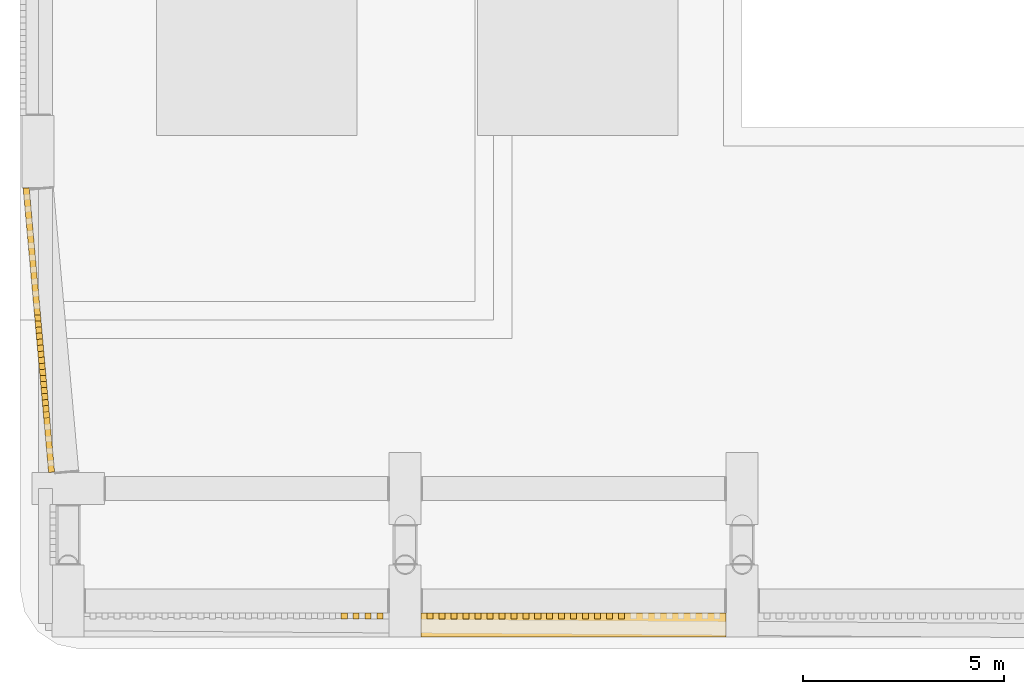
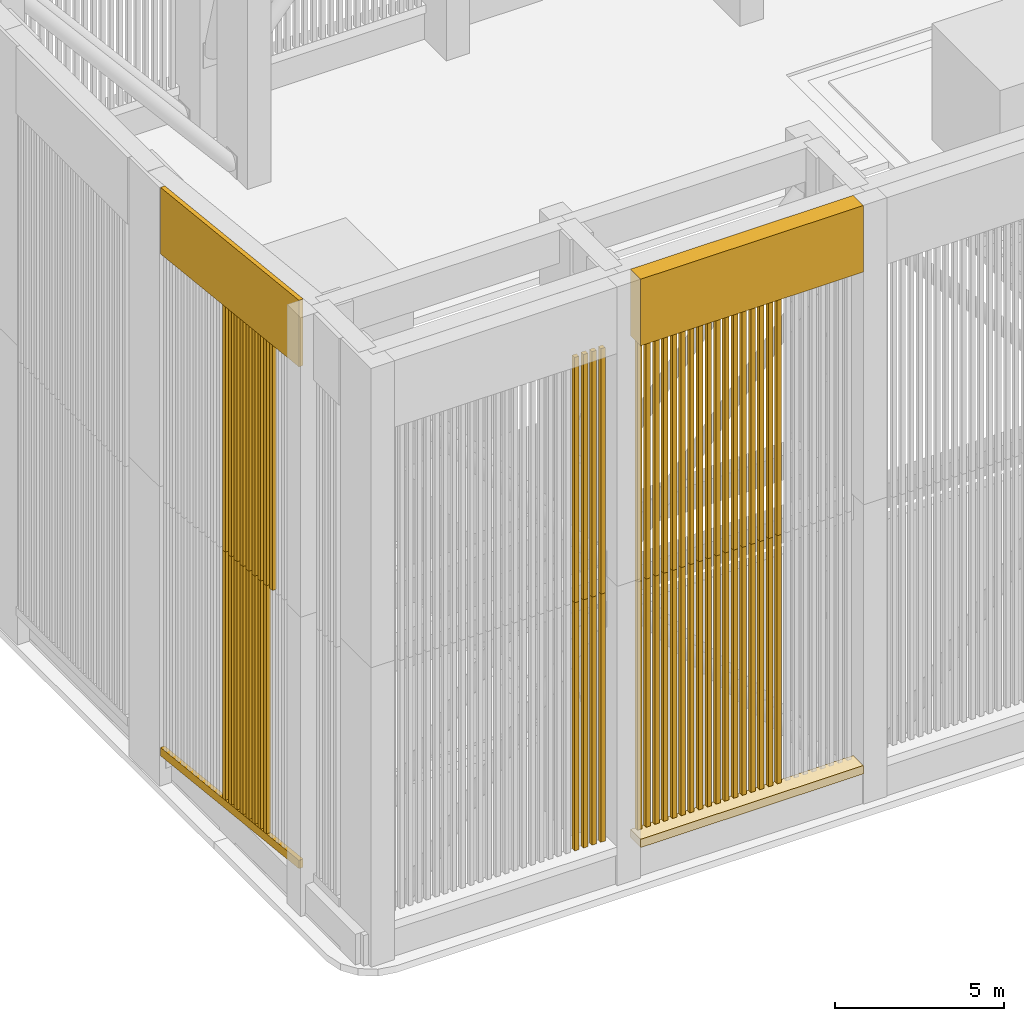
# One storey, part 9 of 27: 59 shading devices, 4 coverings.
"""IFC4 building model written with IfcOpenShell, lengths in metres."""

from ifc_helpers import new_model, si_unit, direction, frame, origin, origin_2d, place, context, subcontext, project, spatial, rectangle, extrude, material, layer, layer_set, type_object, element, save


model = new_model("IFC4")

# Units and contexts
model_context = context("Model", 3, precision=1e-05, world=origin(), true_north=direction((0.0, 1.0)))
body_context = subcontext(model_context, "Body", "Model", "MODEL_VIEW")
ifc_project = project(units=[si_unit("LENGTHUNIT", "METRE"), si_unit("AREAUNIT", "SQUARE_METRE"), si_unit("VOLUMEUNIT", "CUBIC_METRE"), si_unit("PLANEANGLEUNIT", "RADIAN"), si_unit("MASSUNIT", "GRAM", prefix="KILO")], contexts=[model_context])

# Site, building, storey
site_placement = place(None, origin())
site = spatial("IfcSite", under=ifc_project, at=site_placement, CompositionType="ELEMENT")
building_placement = place(site_placement, origin())
building = spatial("IfcBuilding", under=site, at=building_placement, Name="Claustro Exchange Tower", CompositionType="ELEMENT")
storey_placement = place(building_placement, frame((0.0, 0.0, 287.10009765625)))
storey = spatial("IfcBuildingStorey", under=building, at=storey_placement, Name="ROOF", CompositionType="ELEMENT", Elevation=287.10009765625)

# Coverings
ifc_material_1 = material(Name="Concrete HA-40 (C40/50), precast, white cement, acid-etched", Category="concrete")
ifc_layer_1 = layer(ifc_material_1, 0.14990234375)
ifc_layer_set_1 = layer_set([ifc_layer_1], Name="Concrete HA-40 (C40/50), precast, white cement, acid-etched")
covering_type_1 = type_object("IfcCoveringType", Name="CC1 150 precast concrete crown moulding", PredefinedType="MOLDING", material=ifc_layer_set_1)
covering_1_placement = place(storey_placement, frame((-0.729736328125, 12.35009765625, 1.10009765625), z_axis=(0.0, 0.0, 1.0), x_axis=(-0.088932542032, 0.996037651381, 0.0)))
element("IfcCovering", 1, at=covering_1_placement, inside=storey, type_object=covering_type_1, Name="CROWN SILL CC1 1/B - 1+-750/C", PredefinedType="MOLDING", context=body_context, shape_type="SweptSolid", body=[
    extrude(rectangle(XDim=7.114013671875, YDim=0.14990234375, at=origin_2d()), origin(), (0.0, 0.0, 1.0), 0.300048828125),
])
covering_2_placement = place(storey_placement, frame((-0.729736328125, 12.35009765625, 19.199951171875), z_axis=(0.0, 0.0, 1.0), x_axis=(-0.088932542032, 0.996037651381, 0.0)))
element("IfcCovering", 2, at=covering_2_placement, inside=storey, type_object=covering_type_1, Name="CROWN CORNICE CC1 1/B - 1+-750/C", PredefinedType="MOLDING", context=body_context, shape_type="SweptSolid", body=[
    extrude(rectangle(XDim=7.114013671875, YDim=0.14990234375, at=origin_2d()), origin(), (0.0, 0.0, 1.0), 2.39990234375),
])
ifc_material_2 = material(Name="Concrete HA-40 (C40/50), precast, white cement, acid-etched", Category="concrete")
ifc_layer_2 = layer(ifc_material_2, 0.60009765625)
ifc_layer_set_2 = layer_set([ifc_layer_2], Name="Concrete HA-40 (C40/50), precast, white cement, acid-etched")
covering_type_2 = type_object("IfcCoveringType", Name="CC2 600 precast concrete crown moulding", PredefinedType="MOLDING", material=ifc_layer_set_2)
covering_3_placement = place(storey_placement, frame((12.60009765625, 4.99951171875, 1.10009765625), z_axis=(0.0, 0.0, 1.0), x_axis=(1.0, 0.0, 0.0)))
element("IfcCovering", 3, at=covering_3_placement, inside=storey, type_object=covering_type_2, Name="CROWN SILL CC2 2/A+5600 - 3/A+5600", PredefinedType="MOLDING", context=body_context, shape_type="SweptSolid", body=[
    extrude(rectangle(XDim=7.59912109375, YDim=0.60009765625, at=origin_2d()), origin(), (0.0, 0.0, 1.0), 0.300048828125),
])
covering_4_placement = place(storey_placement, frame((12.60009765625, 4.99951171875, 19.199951171875), z_axis=(0.0, 0.0, 1.0), x_axis=(1.0, 0.0, 0.0)))
element("IfcCovering", 4, at=covering_4_placement, inside=storey, type_object=covering_type_2, Name="CROWN CORNICE CC2 2/A+5600 - 3/A+5600", PredefinedType="MOLDING", context=body_context, shape_type="SweptSolid", body=[
    extrude(rectangle(XDim=7.59912109375, YDim=0.60009765625, at=origin_2d()), origin(), (0.0, 0.0, 1.0), 2.39990234375),
])

# Shading devices
ifc_material_3 = material(Name="Concrete HA-40 (C40/50), precast, white cement, acid-etched", Category="concrete")
shading_device_type = type_object("IfcShadingDeviceType", Name="LV1 150 x 150 precast concrete crown louvre", PredefinedType="USERDEFINED", material=ifc_material_3)
shading_device_1_placement = place(storey_placement, frame((6.88232421875, 5.224609375, 1.39990234375), z_axis=(0.0, 0.0, 1.0), x_axis=(1.0, 0.0, 0.0)))
element("IfcShadingDevice", 5, at=shading_device_1_placement, inside=storey, type_object=shading_device_type, Name="CROWN LOUVRE LV1 1/A+5600 - 2/A+5600 22 lower", ObjectType="CROWN LOUVRE", PredefinedType="USERDEFINED", context=body_context, shape_type="SweptSolid", body=[
    extrude(rectangle(XDim=0.14990234375, YDim=0.14990234375, at=origin_2d()), origin(), (0.0, 0.0, 1.0), 8.949951171875),
])
shading_device_2_placement = place(storey_placement, frame((6.88232421875, 5.224609375, 10.349853515625), z_axis=(0.0, 0.0, 1.0), x_axis=(1.0, 0.0, 0.0)))
element("IfcShadingDevice", 6, at=shading_device_2_placement, inside=storey, type_object=shading_device_type, Name="CROWN LOUVRE LV1 1/A+5600 - 2/A+5600 22 upper", ObjectType="CROWN LOUVRE", PredefinedType="USERDEFINED", context=body_context, shape_type="SweptSolid", body=[
    extrude(rectangle(XDim=0.14990234375, YDim=0.14990234375, at=origin_2d()), origin(), (0.0, 0.0, 1.0), 8.85009765625),
])
shading_device_3_placement = place(storey_placement, frame((7.180419921875, 5.224609375, 1.39990234375), z_axis=(0.0, 0.0, 1.0), x_axis=(1.0, 0.0, 0.0)))
element("IfcShadingDevice", 7, at=shading_device_3_placement, inside=storey, type_object=shading_device_type, Name="CROWN LOUVRE LV1 1/A+5600 - 2/A+5600 23 lower", ObjectType="CROWN LOUVRE", PredefinedType="USERDEFINED", context=body_context, shape_type="SweptSolid", body=[
    extrude(rectangle(XDim=0.14990234375, YDim=0.14990234375, at=origin_2d()), origin(), (0.0, 0.0, 1.0), 8.949951171875),
])
shading_device_4_placement = place(storey_placement, frame((7.180419921875, 5.224609375, 10.349853515625), z_axis=(0.0, 0.0, 1.0), x_axis=(1.0, 0.0, 0.0)))
element("IfcShadingDevice", 8, at=shading_device_4_placement, inside=storey, type_object=shading_device_type, Name="CROWN LOUVRE LV1 1/A+5600 - 2/A+5600 23 upper", ObjectType="CROWN LOUVRE", PredefinedType="USERDEFINED", context=body_context, shape_type="SweptSolid", body=[
    extrude(rectangle(XDim=0.14990234375, YDim=0.14990234375, at=origin_2d()), origin(), (0.0, 0.0, 1.0), 8.85009765625),
])
shading_device_5_placement = place(storey_placement, frame((7.478515625, 5.224609375, 1.39990234375), z_axis=(0.0, 0.0, 1.0), x_axis=(1.0, 0.0, 0.0)))
element("IfcShadingDevice", 9, at=shading_device_5_placement, inside=storey, type_object=shading_device_type, Name="CROWN LOUVRE LV1 1/A+5600 - 2/A+5600 24 lower", ObjectType="CROWN LOUVRE", PredefinedType="USERDEFINED", context=body_context, shape_type="SweptSolid", body=[
    extrude(rectangle(XDim=0.14990234375, YDim=0.14990234375, at=origin_2d()), origin(), (0.0, 0.0, 1.0), 8.949951171875),
])
shading_device_6_placement = place(storey_placement, frame((7.478515625, 5.224609375, 10.349853515625), z_axis=(0.0, 0.0, 1.0), x_axis=(1.0, 0.0, 0.0)))
element("IfcShadingDevice", 10, at=shading_device_6_placement, inside=storey, type_object=shading_device_type, Name="CROWN LOUVRE LV1 1/A+5600 - 2/A+5600 24 upper", ObjectType="CROWN LOUVRE", PredefinedType="USERDEFINED", context=body_context, shape_type="SweptSolid", body=[
    extrude(rectangle(XDim=0.14990234375, YDim=0.14990234375, at=origin_2d()), origin(), (0.0, 0.0, 1.0), 8.85009765625),
])
shading_device_7_placement = place(storey_placement, frame((7.776611328125, 5.224609375, 1.39990234375), z_axis=(0.0, 0.0, 1.0), x_axis=(1.0, 0.0, 0.0)))
element("IfcShadingDevice", 11, at=shading_device_7_placement, inside=storey, type_object=shading_device_type, Name="CROWN LOUVRE LV1 1/A+5600 - 2/A+5600 25 lower", ObjectType="CROWN LOUVRE", PredefinedType="USERDEFINED", context=body_context, shape_type="SweptSolid", body=[
    extrude(rectangle(XDim=0.14990234375, YDim=0.14990234375, at=origin_2d()), origin(), (0.0, 0.0, 1.0), 8.949951171875),
])
shading_device_8_placement = place(storey_placement, frame((7.776611328125, 5.224609375, 10.349853515625), z_axis=(0.0, 0.0, 1.0), x_axis=(1.0, 0.0, 0.0)))
element("IfcShadingDevice", 12, at=shading_device_8_placement, inside=storey, type_object=shading_device_type, Name="CROWN LOUVRE LV1 1/A+5600 - 2/A+5600 25 upper", ObjectType="CROWN LOUVRE", PredefinedType="USERDEFINED", context=body_context, shape_type="SweptSolid", body=[
    extrude(rectangle(XDim=0.14990234375, YDim=0.14990234375, at=origin_2d()), origin(), (0.0, 0.0, 1.0), 8.85009765625),
])
shading_device_9_placement = place(storey_placement, frame((9.0234375, 5.224609375, 1.39990234375), z_axis=(0.0, 0.0, 1.0), x_axis=(1.0, 0.0, 0.0)))
element("IfcShadingDevice", 13, at=shading_device_9_placement, inside=storey, type_object=shading_device_type, Name="CROWN LOUVRE LV1 2/A+5600 - 3/A+5600 01 lower", ObjectType="CROWN LOUVRE", PredefinedType="USERDEFINED", context=body_context, shape_type="SweptSolid", body=[
    extrude(rectangle(XDim=0.14990234375, YDim=0.14990234375, at=origin_2d()), origin(), (0.0, 0.0, 1.0), 8.949951171875),
])
shading_device_10_placement = place(storey_placement, frame((9.0234375, 5.224609375, 10.349853515625), z_axis=(0.0, 0.0, 1.0), x_axis=(1.0, 0.0, 0.0)))
element("IfcShadingDevice", 14, at=shading_device_10_placement, inside=storey, type_object=shading_device_type, Name="CROWN LOUVRE LV1 2/A+5600 - 3/A+5600 01 upper", ObjectType="CROWN LOUVRE", PredefinedType="USERDEFINED", context=body_context, shape_type="SweptSolid", body=[
    extrude(rectangle(XDim=0.14990234375, YDim=0.14990234375, at=origin_2d()), origin(), (0.0, 0.0, 1.0), 8.85009765625),
])
shading_device_11_placement = place(storey_placement, frame((9.321533203125, 5.224609375, 1.39990234375), z_axis=(0.0, 0.0, 1.0), x_axis=(1.0, 0.0, 0.0)))
element("IfcShadingDevice", 15, at=shading_device_11_placement, inside=storey, type_object=shading_device_type, Name="CROWN LOUVRE LV1 2/A+5600 - 3/A+5600 02 lower", ObjectType="CROWN LOUVRE", PredefinedType="USERDEFINED", context=body_context, shape_type="SweptSolid", body=[
    extrude(rectangle(XDim=0.14990234375, YDim=0.14990234375, at=origin_2d()), origin(), (0.0, 0.0, 1.0), 8.949951171875),
])
shading_device_12_placement = place(storey_placement, frame((9.321533203125, 5.224609375, 10.349853515625), z_axis=(0.0, 0.0, 1.0), x_axis=(1.0, 0.0, 0.0)))
element("IfcShadingDevice", 16, at=shading_device_12_placement, inside=storey, type_object=shading_device_type, Name="CROWN LOUVRE LV1 2/A+5600 - 3/A+5600 02 upper", ObjectType="CROWN LOUVRE", PredefinedType="USERDEFINED", context=body_context, shape_type="SweptSolid", body=[
    extrude(rectangle(XDim=0.14990234375, YDim=0.14990234375, at=origin_2d()), origin(), (0.0, 0.0, 1.0), 8.85009765625),
])
shading_device_13_placement = place(storey_placement, frame((9.61962890625, 5.224609375, 1.39990234375), z_axis=(0.0, 0.0, 1.0), x_axis=(1.0, 0.0, 0.0)))
element("IfcShadingDevice", 17, at=shading_device_13_placement, inside=storey, type_object=shading_device_type, Name="CROWN LOUVRE LV1 2/A+5600 - 3/A+5600 03 lower", ObjectType="CROWN LOUVRE", PredefinedType="USERDEFINED", context=body_context, shape_type="SweptSolid", body=[
    extrude(rectangle(XDim=0.14990234375, YDim=0.14990234375, at=origin_2d()), origin(), (0.0, 0.0, 1.0), 8.949951171875),
])
shading_device_14_placement = place(storey_placement, frame((9.61962890625, 5.224609375, 10.349853515625), z_axis=(0.0, 0.0, 1.0), x_axis=(1.0, 0.0, 0.0)))
element("IfcShadingDevice", 18, at=shading_device_14_placement, inside=storey, type_object=shading_device_type, Name="CROWN LOUVRE LV1 2/A+5600 - 3/A+5600 03 upper", ObjectType="CROWN LOUVRE", PredefinedType="USERDEFINED", context=body_context, shape_type="SweptSolid", body=[
    extrude(rectangle(XDim=0.14990234375, YDim=0.14990234375, at=origin_2d()), origin(), (0.0, 0.0, 1.0), 8.85009765625),
])
shading_device_15_placement = place(storey_placement, frame((9.917724609375, 5.224609375, 1.39990234375), z_axis=(0.0, 0.0, 1.0), x_axis=(1.0, 0.0, 0.0)))
element("IfcShadingDevice", 19, at=shading_device_15_placement, inside=storey, type_object=shading_device_type, Name="CROWN LOUVRE LV1 2/A+5600 - 3/A+5600 04 lower", ObjectType="CROWN LOUVRE", PredefinedType="USERDEFINED", context=body_context, shape_type="SweptSolid", body=[
    extrude(rectangle(XDim=0.14990234375, YDim=0.14990234375, at=origin_2d()), origin(), (0.0, 0.0, 1.0), 8.949951171875),
])
shading_device_16_placement = place(storey_placement, frame((9.917724609375, 5.224609375, 10.349853515625), z_axis=(0.0, 0.0, 1.0), x_axis=(1.0, 0.0, 0.0)))
element("IfcShadingDevice", 20, at=shading_device_16_placement, inside=storey, type_object=shading_device_type, Name="CROWN LOUVRE LV1 2/A+5600 - 3/A+5600 04 upper", ObjectType="CROWN LOUVRE", PredefinedType="USERDEFINED", context=body_context, shape_type="SweptSolid", body=[
    extrude(rectangle(XDim=0.14990234375, YDim=0.14990234375, at=origin_2d()), origin(), (0.0, 0.0, 1.0), 8.85009765625),
])
shading_device_17_placement = place(storey_placement, frame((10.2158203125, 5.224609375, 1.39990234375), z_axis=(0.0, 0.0, 1.0), x_axis=(1.0, 0.0, 0.0)))
element("IfcShadingDevice", 21, at=shading_device_17_placement, inside=storey, type_object=shading_device_type, Name="CROWN LOUVRE LV1 2/A+5600 - 3/A+5600 05 lower", ObjectType="CROWN LOUVRE", PredefinedType="USERDEFINED", context=body_context, shape_type="SweptSolid", body=[
    extrude(rectangle(XDim=0.14990234375, YDim=0.14990234375, at=origin_2d()), origin(), (0.0, 0.0, 1.0), 8.949951171875),
])
shading_device_18_placement = place(storey_placement, frame((10.2158203125, 5.224609375, 10.349853515625), z_axis=(0.0, 0.0, 1.0), x_axis=(1.0, 0.0, 0.0)))
element("IfcShadingDevice", 22, at=shading_device_18_placement, inside=storey, type_object=shading_device_type, Name="CROWN LOUVRE LV1 2/A+5600 - 3/A+5600 05 upper", ObjectType="CROWN LOUVRE", PredefinedType="USERDEFINED", context=body_context, shape_type="SweptSolid", body=[
    extrude(rectangle(XDim=0.14990234375, YDim=0.14990234375, at=origin_2d()), origin(), (0.0, 0.0, 1.0), 8.85009765625),
])
shading_device_19_placement = place(storey_placement, frame((10.513671875, 5.224609375, 1.39990234375), z_axis=(0.0, 0.0, 1.0), x_axis=(1.0, 0.0, 0.0)))
element("IfcShadingDevice", 23, at=shading_device_19_placement, inside=storey, type_object=shading_device_type, Name="CROWN LOUVRE LV1 2/A+5600 - 3/A+5600 06 lower", ObjectType="CROWN LOUVRE", PredefinedType="USERDEFINED", context=body_context, shape_type="SweptSolid", body=[
    extrude(rectangle(XDim=0.14990234375, YDim=0.14990234375, at=origin_2d()), origin(), (0.0, 0.0, 1.0), 8.949951171875),
])
shading_device_20_placement = place(storey_placement, frame((10.513671875, 5.224609375, 10.349853515625), z_axis=(0.0, 0.0, 1.0), x_axis=(1.0, 0.0, 0.0)))
element("IfcShadingDevice", 24, at=shading_device_20_placement, inside=storey, type_object=shading_device_type, Name="CROWN LOUVRE LV1 2/A+5600 - 3/A+5600 06 upper", ObjectType="CROWN LOUVRE", PredefinedType="USERDEFINED", context=body_context, shape_type="SweptSolid", body=[
    extrude(rectangle(XDim=0.14990234375, YDim=0.14990234375, at=origin_2d()), origin(), (0.0, 0.0, 1.0), 8.85009765625),
])
shading_device_21_placement = place(storey_placement, frame((10.811767578125, 5.224609375, 1.39990234375), z_axis=(0.0, 0.0, 1.0), x_axis=(1.0, 0.0, 0.0)))
element("IfcShadingDevice", 25, at=shading_device_21_placement, inside=storey, type_object=shading_device_type, Name="CROWN LOUVRE LV1 2/A+5600 - 3/A+5600 07 lower", ObjectType="CROWN LOUVRE", PredefinedType="USERDEFINED", context=body_context, shape_type="SweptSolid", body=[
    extrude(rectangle(XDim=0.14990234375, YDim=0.14990234375, at=origin_2d()), origin(), (0.0, 0.0, 1.0), 8.949951171875),
])
shading_device_22_placement = place(storey_placement, frame((10.811767578125, 5.224609375, 10.349853515625), z_axis=(0.0, 0.0, 1.0), x_axis=(1.0, 0.0, 0.0)))
element("IfcShadingDevice", 26, at=shading_device_22_placement, inside=storey, type_object=shading_device_type, Name="CROWN LOUVRE LV1 2/A+5600 - 3/A+5600 07 upper", ObjectType="CROWN LOUVRE", PredefinedType="USERDEFINED", context=body_context, shape_type="SweptSolid", body=[
    extrude(rectangle(XDim=0.14990234375, YDim=0.14990234375, at=origin_2d()), origin(), (0.0, 0.0, 1.0), 8.85009765625),
])
shading_device_23_placement = place(storey_placement, frame((11.10986328125, 5.224609375, 1.39990234375), z_axis=(0.0, 0.0, 1.0), x_axis=(1.0, 0.0, 0.0)))
element("IfcShadingDevice", 27, at=shading_device_23_placement, inside=storey, type_object=shading_device_type, Name="CROWN LOUVRE LV1 2/A+5600 - 3/A+5600 08 lower", ObjectType="CROWN LOUVRE", PredefinedType="USERDEFINED", context=body_context, shape_type="SweptSolid", body=[
    extrude(rectangle(XDim=0.14990234375, YDim=0.14990234375, at=origin_2d()), origin(), (0.0, 0.0, 1.0), 8.949951171875),
])
shading_device_24_placement = place(storey_placement, frame((11.10986328125, 5.224609375, 10.349853515625), z_axis=(0.0, 0.0, 1.0), x_axis=(1.0, 0.0, 0.0)))
element("IfcShadingDevice", 28, at=shading_device_24_placement, inside=storey, type_object=shading_device_type, Name="CROWN LOUVRE LV1 2/A+5600 - 3/A+5600 08 upper", ObjectType="CROWN LOUVRE", PredefinedType="USERDEFINED", context=body_context, shape_type="SweptSolid", body=[
    extrude(rectangle(XDim=0.14990234375, YDim=0.14990234375, at=origin_2d()), origin(), (0.0, 0.0, 1.0), 8.85009765625),
])
shading_device_25_placement = place(storey_placement, frame((11.40771484375, 5.224609375, 1.39990234375), z_axis=(0.0, 0.0, 1.0), x_axis=(1.0, 0.0, 0.0)))
element("IfcShadingDevice", 29, at=shading_device_25_placement, inside=storey, type_object=shading_device_type, Name="CROWN LOUVRE LV1 2/A+5600 - 3/A+5600 09 lower", ObjectType="CROWN LOUVRE", PredefinedType="USERDEFINED", context=body_context, shape_type="SweptSolid", body=[
    extrude(rectangle(XDim=0.14990234375, YDim=0.14990234375, at=origin_2d()), origin(), (0.0, 0.0, 1.0), 8.949951171875),
])
shading_device_26_placement = place(storey_placement, frame((11.40771484375, 5.224609375, 10.349853515625), z_axis=(0.0, 0.0, 1.0), x_axis=(1.0, 0.0, 0.0)))
element("IfcShadingDevice", 30, at=shading_device_26_placement, inside=storey, type_object=shading_device_type, Name="CROWN LOUVRE LV1 2/A+5600 - 3/A+5600 09 upper", ObjectType="CROWN LOUVRE", PredefinedType="USERDEFINED", context=body_context, shape_type="SweptSolid", body=[
    extrude(rectangle(XDim=0.14990234375, YDim=0.14990234375, at=origin_2d()), origin(), (0.0, 0.0, 1.0), 8.85009765625),
])
shading_device_27_placement = place(storey_placement, frame((11.705810546875, 5.224609375, 1.39990234375), z_axis=(0.0, 0.0, 1.0), x_axis=(1.0, 0.0, 0.0)))
element("IfcShadingDevice", 31, at=shading_device_27_placement, inside=storey, type_object=shading_device_type, Name="CROWN LOUVRE LV1 2/A+5600 - 3/A+5600 10 lower", ObjectType="CROWN LOUVRE", PredefinedType="USERDEFINED", context=body_context, shape_type="SweptSolid", body=[
    extrude(rectangle(XDim=0.14990234375, YDim=0.14990234375, at=origin_2d()), origin(), (0.0, 0.0, 1.0), 8.949951171875),
])
shading_device_28_placement = place(storey_placement, frame((11.705810546875, 5.224609375, 10.349853515625), z_axis=(0.0, 0.0, 1.0), x_axis=(1.0, 0.0, 0.0)))
element("IfcShadingDevice", 32, at=shading_device_28_placement, inside=storey, type_object=shading_device_type, Name="CROWN LOUVRE LV1 2/A+5600 - 3/A+5600 10 upper", ObjectType="CROWN LOUVRE", PredefinedType="USERDEFINED", context=body_context, shape_type="SweptSolid", body=[
    extrude(rectangle(XDim=0.14990234375, YDim=0.14990234375, at=origin_2d()), origin(), (0.0, 0.0, 1.0), 8.85009765625),
])
shading_device_29_placement = place(storey_placement, frame((12.00390625, 5.224609375, 1.39990234375), z_axis=(0.0, 0.0, 1.0), x_axis=(1.0, 0.0, 0.0)))
element("IfcShadingDevice", 33, at=shading_device_29_placement, inside=storey, type_object=shading_device_type, Name="CROWN LOUVRE LV1 2/A+5600 - 3/A+5600 11 lower", ObjectType="CROWN LOUVRE", PredefinedType="USERDEFINED", context=body_context, shape_type="SweptSolid", body=[
    extrude(rectangle(XDim=0.14990234375, YDim=0.14990234375, at=origin_2d()), origin(), (0.0, 0.0, 1.0), 8.949951171875),
])
shading_device_30_placement = place(storey_placement, frame((12.00390625, 5.224609375, 10.349853515625), z_axis=(0.0, 0.0, 1.0), x_axis=(1.0, 0.0, 0.0)))
element("IfcShadingDevice", 34, at=shading_device_30_placement, inside=storey, type_object=shading_device_type, Name="CROWN LOUVRE LV1 2/A+5600 - 3/A+5600 11 upper", ObjectType="CROWN LOUVRE", PredefinedType="USERDEFINED", context=body_context, shape_type="SweptSolid", body=[
    extrude(rectangle(XDim=0.14990234375, YDim=0.14990234375, at=origin_2d()), origin(), (0.0, 0.0, 1.0), 8.85009765625),
])
shading_device_31_placement = place(storey_placement, frame((12.302001953125, 5.224609375, 1.39990234375), z_axis=(0.0, 0.0, 1.0), x_axis=(1.0, 0.0, 0.0)))
element("IfcShadingDevice", 35, at=shading_device_31_placement, inside=storey, type_object=shading_device_type, Name="CROWN LOUVRE LV1 2/A+5600 - 3/A+5600 12 lower", ObjectType="CROWN LOUVRE", PredefinedType="USERDEFINED", context=body_context, shape_type="SweptSolid", body=[
    extrude(rectangle(XDim=0.14990234375, YDim=0.14990234375, at=origin_2d()), origin(), (0.0, 0.0, 1.0), 8.949951171875),
])
shading_device_32_placement = place(storey_placement, frame((12.302001953125, 5.224609375, 10.349853515625), z_axis=(0.0, 0.0, 1.0), x_axis=(1.0, 0.0, 0.0)))
element("IfcShadingDevice", 36, at=shading_device_32_placement, inside=storey, type_object=shading_device_type, Name="CROWN LOUVRE LV1 2/A+5600 - 3/A+5600 12 upper", ObjectType="CROWN LOUVRE", PredefinedType="USERDEFINED", context=body_context, shape_type="SweptSolid", body=[
    extrude(rectangle(XDim=0.14990234375, YDim=0.14990234375, at=origin_2d()), origin(), (0.0, 0.0, 1.0), 8.85009765625),
])
shading_device_33_placement = place(storey_placement, frame((12.60009765625, 5.224609375, 1.39990234375), z_axis=(0.0, 0.0, 1.0), x_axis=(1.0, 0.0, 0.0)))
element("IfcShadingDevice", 37, at=shading_device_33_placement, inside=storey, type_object=shading_device_type, Name="CROWN LOUVRE LV1 2/A+5600 - 3/A+5600 13 lower", ObjectType="CROWN LOUVRE", PredefinedType="USERDEFINED", context=body_context, shape_type="SweptSolid", body=[
    extrude(rectangle(XDim=0.14990234375, YDim=0.14990234375, at=origin_2d()), origin(), (0.0, 0.0, 1.0), 8.949951171875),
])
shading_device_34_placement = place(storey_placement, frame((12.60009765625, 5.224609375, 10.349853515625), z_axis=(0.0, 0.0, 1.0), x_axis=(1.0, 0.0, 0.0)))
element("IfcShadingDevice", 38, at=shading_device_34_placement, inside=storey, type_object=shading_device_type, Name="CROWN LOUVRE LV1 2/A+5600 - 3/A+5600 13 upper", ObjectType="CROWN LOUVRE", PredefinedType="USERDEFINED", context=body_context, shape_type="SweptSolid", body=[
    extrude(rectangle(XDim=0.14990234375, YDim=0.14990234375, at=origin_2d()), origin(), (0.0, 0.0, 1.0), 8.85009765625),
])
shading_device_35_placement = place(storey_placement, frame((12.89794921875, 5.224609375, 1.39990234375), z_axis=(0.0, 0.0, 1.0), x_axis=(1.0, 0.0, 0.0)))
element("IfcShadingDevice", 39, at=shading_device_35_placement, inside=storey, type_object=shading_device_type, Name="CROWN LOUVRE LV1 2/A+5600 - 3/A+5600 14 lower", ObjectType="CROWN LOUVRE", PredefinedType="USERDEFINED", context=body_context, shape_type="SweptSolid", body=[
    extrude(rectangle(XDim=0.14990234375, YDim=0.14990234375, at=origin_2d()), origin(), (0.0, 0.0, 1.0), 8.949951171875),
])
shading_device_36_placement = place(storey_placement, frame((12.89794921875, 5.224609375, 10.349853515625), z_axis=(0.0, 0.0, 1.0), x_axis=(1.0, 0.0, 0.0)))
element("IfcShadingDevice", 40, at=shading_device_36_placement, inside=storey, type_object=shading_device_type, Name="CROWN LOUVRE LV1 2/A+5600 - 3/A+5600 14 upper", ObjectType="CROWN LOUVRE", PredefinedType="USERDEFINED", context=body_context, shape_type="SweptSolid", body=[
    extrude(rectangle(XDim=0.14990234375, YDim=0.14990234375, at=origin_2d()), origin(), (0.0, 0.0, 1.0), 8.85009765625),
])
shading_device_37_placement = place(storey_placement, frame((13.196044921875, 5.224609375, 1.39990234375), z_axis=(0.0, 0.0, 1.0), x_axis=(1.0, 0.0, 0.0)))
element("IfcShadingDevice", 41, at=shading_device_37_placement, inside=storey, type_object=shading_device_type, Name="CROWN LOUVRE LV1 2/A+5600 - 3/A+5600 15 lower", ObjectType="CROWN LOUVRE", PredefinedType="USERDEFINED", context=body_context, shape_type="SweptSolid", body=[
    extrude(rectangle(XDim=0.14990234375, YDim=0.14990234375, at=origin_2d()), origin(), (0.0, 0.0, 1.0), 8.949951171875),
])
shading_device_38_placement = place(storey_placement, frame((13.196044921875, 5.224609375, 10.349853515625), z_axis=(0.0, 0.0, 1.0), x_axis=(1.0, 0.0, 0.0)))
element("IfcShadingDevice", 42, at=shading_device_38_placement, inside=storey, type_object=shading_device_type, Name="CROWN LOUVRE LV1 2/A+5600 - 3/A+5600 15 upper", ObjectType="CROWN LOUVRE", PredefinedType="USERDEFINED", context=body_context, shape_type="SweptSolid", body=[
    extrude(rectangle(XDim=0.14990234375, YDim=0.14990234375, at=origin_2d()), origin(), (0.0, 0.0, 1.0), 8.85009765625),
])
shading_device_39_placement = place(storey_placement, frame((13.494140625, 5.224609375, 1.39990234375), z_axis=(0.0, 0.0, 1.0), x_axis=(1.0, 0.0, 0.0)))
element("IfcShadingDevice", 43, at=shading_device_39_placement, inside=storey, type_object=shading_device_type, Name="CROWN LOUVRE LV1 2/A+5600 - 3/A+5600 16 lower", ObjectType="CROWN LOUVRE", PredefinedType="USERDEFINED", context=body_context, shape_type="SweptSolid", body=[
    extrude(rectangle(XDim=0.14990234375, YDim=0.14990234375, at=origin_2d()), origin(), (0.0, 0.0, 1.0), 8.949951171875),
])
shading_device_40_placement = place(storey_placement, frame((13.494140625, 5.224609375, 10.349853515625), z_axis=(0.0, 0.0, 1.0), x_axis=(1.0, 0.0, 0.0)))
element("IfcShadingDevice", 44, at=shading_device_40_placement, inside=storey, type_object=shading_device_type, Name="CROWN LOUVRE LV1 2/A+5600 - 3/A+5600 16 upper", ObjectType="CROWN LOUVRE", PredefinedType="USERDEFINED", context=body_context, shape_type="SweptSolid", body=[
    extrude(rectangle(XDim=0.14990234375, YDim=0.14990234375, at=origin_2d()), origin(), (0.0, 0.0, 1.0), 8.85009765625),
])
shading_device_41_placement = place(storey_placement, frame((13.792236328125, 5.224609375, 1.39990234375), z_axis=(0.0, 0.0, 1.0), x_axis=(1.0, 0.0, 0.0)))
element("IfcShadingDevice", 45, at=shading_device_41_placement, inside=storey, type_object=shading_device_type, Name="CROWN LOUVRE LV1 2/A+5600 - 3/A+5600 17 lower", ObjectType="CROWN LOUVRE", PredefinedType="USERDEFINED", context=body_context, shape_type="SweptSolid", body=[
    extrude(rectangle(XDim=0.14990234375, YDim=0.14990234375, at=origin_2d()), origin(), (0.0, 0.0, 1.0), 8.949951171875),
])
for number, where, z_axis, x_axis, name in (
    (46, (13.792236328125, 5.224609375, 10.349853515625), (0.0, 0.0, 1.0), (1.0, 0.0, 0.0), "CROWN LOUVRE LV1 2/A+5600 - 3/A+5600 17 upper"),
    (47, (-0.541259765625, 10.23974609375, 10.349853515625), (0.0, 0.0, 1.0), (-0.088932542032, 0.996037651381, 0.0), "CROWN LOUVRE LV1 1/B - 1+-750/C 05 upper"),
):
    element("IfcShadingDevice", number, at=place(storey_placement, frame(where, z_axis=z_axis, x_axis=x_axis)), inside=storey, type_object=shading_device_type, Name=name, ObjectType="CROWN LOUVRE", PredefinedType="USERDEFINED", context=body_context, shape_type="SweptSolid", body=[
        extrude(rectangle(XDim=0.14990234375, YDim=0.14990234375, at=origin_2d()), origin(), (0.0, 0.0, 1.0), 8.85009765625),
    ])
shading_device_42_placement = place(storey_placement, frame((-0.568115234375, 10.541259765625, 1.39990234375), z_axis=(0.0, 0.0, 1.0), x_axis=(-0.088932542032, 0.996037651381, 0.0)))
element("IfcShadingDevice", 48, at=shading_device_42_placement, inside=storey, type_object=shading_device_type, Name="CROWN LOUVRE LV1 1/B - 1+-750/C 06 lower", ObjectType="CROWN LOUVRE", PredefinedType="USERDEFINED", context=body_context, shape_type="SweptSolid", body=[
    extrude(rectangle(XDim=0.14990234375, YDim=0.14990234375, at=origin_2d()), origin(), (0.0, 0.0, 1.0), 8.949951171875),
])
shading_device_43_placement = place(storey_placement, frame((-0.568115234375, 10.541259765625, 10.349853515625), z_axis=(0.0, 0.0, 1.0), x_axis=(-0.088932542032, 0.996037651381, 0.0)))
element("IfcShadingDevice", 49, at=shading_device_43_placement, inside=storey, type_object=shading_device_type, Name="CROWN LOUVRE LV1 1/B - 1+-750/C 06 upper", ObjectType="CROWN LOUVRE", PredefinedType="USERDEFINED", context=body_context, shape_type="SweptSolid", body=[
    extrude(rectangle(XDim=0.14990234375, YDim=0.14990234375, at=origin_2d()), origin(), (0.0, 0.0, 1.0), 8.85009765625),
])
shading_device_44_placement = place(storey_placement, frame((-0.59521484375, 10.8427734375, 1.39990234375), z_axis=(0.0, 0.0, 1.0), x_axis=(-0.088932542032, 0.996037651381, 0.0)))
element("IfcShadingDevice", 50, at=shading_device_44_placement, inside=storey, type_object=shading_device_type, Name="CROWN LOUVRE LV1 1/B - 1+-750/C 07 lower", ObjectType="CROWN LOUVRE", PredefinedType="USERDEFINED", context=body_context, shape_type="SweptSolid", body=[
    extrude(rectangle(XDim=0.14990234375, YDim=0.14990234375, at=origin_2d()), origin(), (0.0, 0.0, 1.0), 8.949951171875),
])
shading_device_45_placement = place(storey_placement, frame((-0.59521484375, 10.8427734375, 10.349853515625), z_axis=(0.0, 0.0, 1.0), x_axis=(-0.088932542032, 0.996037651381, 0.0)))
element("IfcShadingDevice", 51, at=shading_device_45_placement, inside=storey, type_object=shading_device_type, Name="CROWN LOUVRE LV1 1/B - 1+-750/C 07 upper", ObjectType="CROWN LOUVRE", PredefinedType="USERDEFINED", context=body_context, shape_type="SweptSolid", body=[
    extrude(rectangle(XDim=0.14990234375, YDim=0.14990234375, at=origin_2d()), origin(), (0.0, 0.0, 1.0), 8.85009765625),
])
shading_device_46_placement = place(storey_placement, frame((-0.6220703125, 11.144287109375, 1.39990234375), z_axis=(0.0, 0.0, 1.0), x_axis=(-0.088932542032, 0.996037651381, 0.0)))
element("IfcShadingDevice", 52, at=shading_device_46_placement, inside=storey, type_object=shading_device_type, Name="CROWN LOUVRE LV1 1/B - 1+-750/C 08 lower", ObjectType="CROWN LOUVRE", PredefinedType="USERDEFINED", context=body_context, shape_type="SweptSolid", body=[
    extrude(rectangle(XDim=0.14990234375, YDim=0.14990234375, at=origin_2d()), origin(), (0.0, 0.0, 1.0), 8.949951171875),
])
shading_device_47_placement = place(storey_placement, frame((-0.6220703125, 11.144287109375, 10.349853515625), z_axis=(0.0, 0.0, 1.0), x_axis=(-0.088932542032, 0.996037651381, 0.0)))
element("IfcShadingDevice", 53, at=shading_device_47_placement, inside=storey, type_object=shading_device_type, Name="CROWN LOUVRE LV1 1/B - 1+-750/C 08 upper", ObjectType="CROWN LOUVRE", PredefinedType="USERDEFINED", context=body_context, shape_type="SweptSolid", body=[
    extrude(rectangle(XDim=0.14990234375, YDim=0.14990234375, at=origin_2d()), origin(), (0.0, 0.0, 1.0), 8.85009765625),
])
shading_device_48_placement = place(storey_placement, frame((-0.64892578125, 11.445556640625, 1.39990234375), z_axis=(0.0, 0.0, 1.0), x_axis=(-0.088932542032, 0.996037651381, 0.0)))
element("IfcShadingDevice", 54, at=shading_device_48_placement, inside=storey, type_object=shading_device_type, Name="CROWN LOUVRE LV1 1/B - 1+-750/C 09 lower", ObjectType="CROWN LOUVRE", PredefinedType="USERDEFINED", context=body_context, shape_type="SweptSolid", body=[
    extrude(rectangle(XDim=0.14990234375, YDim=0.14990234375, at=origin_2d()), origin(), (0.0, 0.0, 1.0), 8.949951171875),
])
shading_device_49_placement = place(storey_placement, frame((-0.64892578125, 11.445556640625, 10.349853515625), z_axis=(0.0, 0.0, 1.0), x_axis=(-0.088932542032, 0.996037651381, 0.0)))
element("IfcShadingDevice", 55, at=shading_device_49_placement, inside=storey, type_object=shading_device_type, Name="CROWN LOUVRE LV1 1/B - 1+-750/C 09 upper", ObjectType="CROWN LOUVRE", PredefinedType="USERDEFINED", context=body_context, shape_type="SweptSolid", body=[
    extrude(rectangle(XDim=0.14990234375, YDim=0.14990234375, at=origin_2d()), origin(), (0.0, 0.0, 1.0), 8.85009765625),
])
shading_device_50_placement = place(storey_placement, frame((-0.67578125, 11.7470703125, 1.39990234375), z_axis=(0.0, 0.0, 1.0), x_axis=(-0.088932542032, 0.996037651381, 0.0)))
element("IfcShadingDevice", 56, at=shading_device_50_placement, inside=storey, type_object=shading_device_type, Name="CROWN LOUVRE LV1 1/B - 1+-750/C 10 lower", ObjectType="CROWN LOUVRE", PredefinedType="USERDEFINED", context=body_context, shape_type="SweptSolid", body=[
    extrude(rectangle(XDim=0.14990234375, YDim=0.14990234375, at=origin_2d()), origin(), (0.0, 0.0, 1.0), 8.949951171875),
])
shading_device_51_placement = place(storey_placement, frame((-0.67578125, 11.7470703125, 10.349853515625), z_axis=(0.0, 0.0, 1.0), x_axis=(-0.088932542032, 0.996037651381, 0.0)))
element("IfcShadingDevice", 57, at=shading_device_51_placement, inside=storey, type_object=shading_device_type, Name="CROWN LOUVRE LV1 1/B - 1+-750/C 10 upper", ObjectType="CROWN LOUVRE", PredefinedType="USERDEFINED", context=body_context, shape_type="SweptSolid", body=[
    extrude(rectangle(XDim=0.14990234375, YDim=0.14990234375, at=origin_2d()), origin(), (0.0, 0.0, 1.0), 8.85009765625),
])
shading_device_52_placement = place(storey_placement, frame((-0.702880859375, 12.048583984375, 1.39990234375), z_axis=(0.0, 0.0, 1.0), x_axis=(-0.088932542032, 0.996037651381, 0.0)))
element("IfcShadingDevice", 58, at=shading_device_52_placement, inside=storey, type_object=shading_device_type, Name="CROWN LOUVRE LV1 1/B - 1+-750/C 11 lower", ObjectType="CROWN LOUVRE", PredefinedType="USERDEFINED", context=body_context, shape_type="SweptSolid", body=[
    extrude(rectangle(XDim=0.14990234375, YDim=0.14990234375, at=origin_2d()), origin(), (0.0, 0.0, 1.0), 8.949951171875),
])
shading_device_53_placement = place(storey_placement, frame((-0.702880859375, 12.048583984375, 10.349853515625), z_axis=(0.0, 0.0, 1.0), x_axis=(-0.088932542032, 0.996037651381, 0.0)))
element("IfcShadingDevice", 59, at=shading_device_53_placement, inside=storey, type_object=shading_device_type, Name="CROWN LOUVRE LV1 1/B - 1+-750/C 11 upper", ObjectType="CROWN LOUVRE", PredefinedType="USERDEFINED", context=body_context, shape_type="SweptSolid", body=[
    extrude(rectangle(XDim=0.14990234375, YDim=0.14990234375, at=origin_2d()), origin(), (0.0, 0.0, 1.0), 8.85009765625),
])
shading_device_54_placement = place(storey_placement, frame((-0.729736328125, 12.35009765625, 1.39990234375), z_axis=(0.0, 0.0, 1.0), x_axis=(-0.088932542032, 0.996037651381, 0.0)))
element("IfcShadingDevice", 60, at=shading_device_54_placement, inside=storey, type_object=shading_device_type, Name="CROWN LOUVRE LV1 1/B - 1+-750/C 12 lower", ObjectType="CROWN LOUVRE", PredefinedType="USERDEFINED", context=body_context, shape_type="SweptSolid", body=[
    extrude(rectangle(XDim=0.14990234375, YDim=0.14990234375, at=origin_2d()), origin(), (0.0, 0.0, 1.0), 8.949951171875),
])
shading_device_55_placement = place(storey_placement, frame((-0.729736328125, 12.35009765625, 10.349853515625), z_axis=(0.0, 0.0, 1.0), x_axis=(-0.088932542032, 0.996037651381, 0.0)))
element("IfcShadingDevice", 61, at=shading_device_55_placement, inside=storey, type_object=shading_device_type, Name="CROWN LOUVRE LV1 1/B - 1+-750/C 12 upper", ObjectType="CROWN LOUVRE", PredefinedType="USERDEFINED", context=body_context, shape_type="SweptSolid", body=[
    extrude(rectangle(XDim=0.14990234375, YDim=0.14990234375, at=origin_2d()), origin(), (0.0, 0.0, 1.0), 8.85009765625),
])
shading_device_56_placement = place(storey_placement, frame((-0.756591796875, 12.651611328125, 1.39990234375), z_axis=(0.0, 0.0, 1.0), x_axis=(-0.088932542032, 0.996037651381, 0.0)))
element("IfcShadingDevice", 62, at=shading_device_56_placement, inside=storey, type_object=shading_device_type, Name="CROWN LOUVRE LV1 1/B - 1+-750/C 13 lower", ObjectType="CROWN LOUVRE", PredefinedType="USERDEFINED", context=body_context, shape_type="SweptSolid", body=[
    extrude(rectangle(XDim=0.14990234375, YDim=0.14990234375, at=origin_2d()), origin(), (0.0, 0.0, 1.0), 8.949951171875),
])
shading_device_57_placement = place(storey_placement, frame((-0.756591796875, 12.651611328125, 10.349853515625), z_axis=(0.0, 0.0, 1.0), x_axis=(-0.088932542032, 0.996037651381, 0.0)))
element("IfcShadingDevice", 63, at=shading_device_57_placement, inside=storey, type_object=shading_device_type, Name="CROWN LOUVRE LV1 1/B - 1+-750/C 13 upper", ObjectType="CROWN LOUVRE", PredefinedType="USERDEFINED", context=body_context, shape_type="SweptSolid", body=[
    extrude(rectangle(XDim=0.14990234375, YDim=0.14990234375, at=origin_2d()), origin(), (0.0, 0.0, 1.0), 8.85009765625),
])

save(model, "model.ifc")
